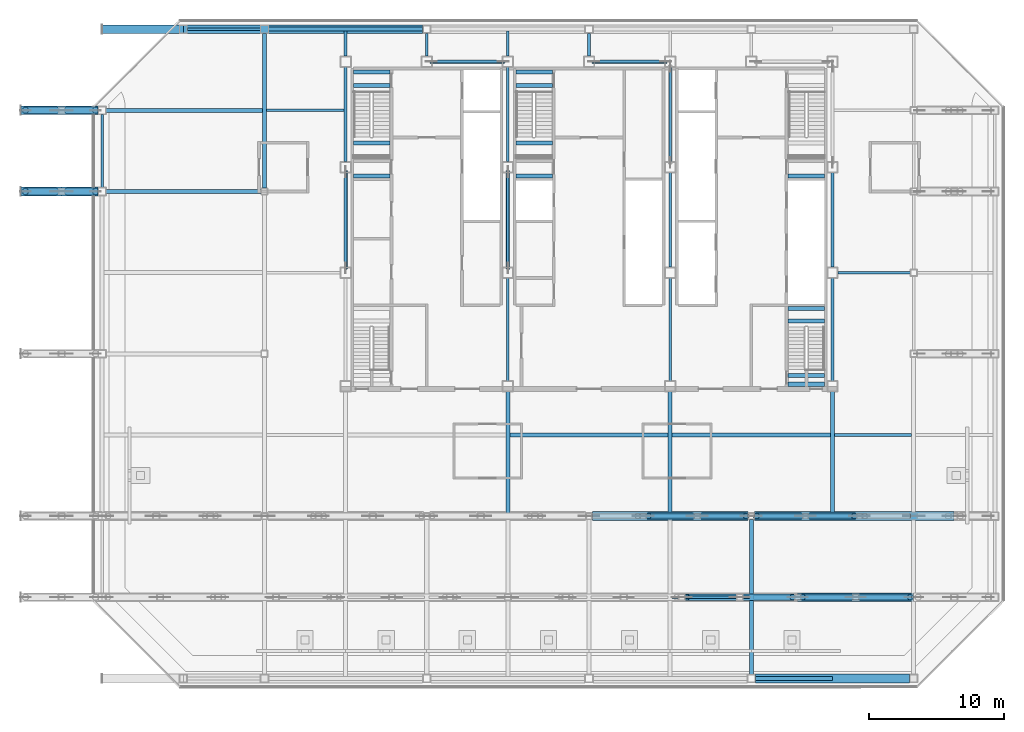
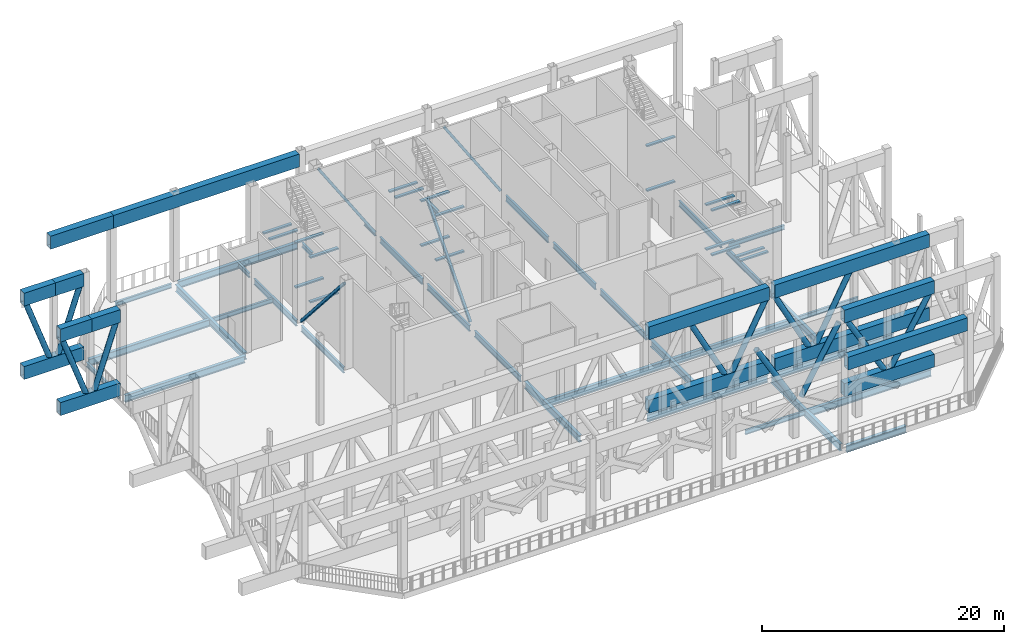
# One storey, part 4 of 22: 69 beams, 16 members.
"""IFC4 building model written with IfcOpenShell, lengths in metres."""

from ifc_helpers import new_model, si_unit, direction, frame, origin, origin_2d, place, context, subcontext, project, spatial, rectangle, hollow_rectangle, hollow_circle, i_section, extrude, material, material_profile, profile_set, type_object, element, save


model = new_model("IFC4")

# Units and contexts
model_context = context("Model", 3, precision=1e-05, world=origin(), true_north=direction((0.0, 1.0)))
body_context = subcontext(model_context, "Body", "Model", "MODEL_VIEW")
ifc_project = project(units=[si_unit("LENGTHUNIT", "METRE"), si_unit("AREAUNIT", "SQUARE_METRE"), si_unit("VOLUMEUNIT", "CUBIC_METRE"), si_unit("PLANEANGLEUNIT", "RADIAN"), si_unit("MASSUNIT", "GRAM", prefix="KILO")], contexts=[model_context])

# Site, building, storey
site_placement = place(None, origin())
site = spatial("IfcSite", under=ifc_project, at=site_placement, CompositionType="ELEMENT")
building_placement = place(site_placement, origin())
building = spatial("IfcBuilding", under=site, at=building_placement, Name="Sorahane Residences", CompositionType="ELEMENT")
storey_placement = place(building_placement, frame((0.0, 0.0, 281.800048828125)))
storey = spatial("IfcBuildingStorey", under=building, at=storey_placement, Name="L67", CompositionType="ELEMENT", Elevation=281.800048828125)

# Members
ifc_material_1 = material(Name="Steel Q355B", Category="steel")
ifc_material_profile_1 = material_profile(ifc_material_1, hollow_rectangle(XDim=0.25, YDim=0.25, WallThickness=0.013916015625, InnerFilletRadius=0.007080078125, OuterFilletRadius=0.02099609375, at=origin_2d()), Name="RHS 250x250x14")
ifc_profile_set_1 = profile_set([ifc_material_profile_1], Name="Steel Q355B")
member_type_1 = type_object("IfcMemberType", Name="Core brace RHS 250x250x14 Q355B", PredefinedType="BRACE", material=ifc_profile_set_1)
for number, where, z_axis, x_axis, name in (
    (1, (17.662841796875, 45.60009765625, 0.0283203125), (-0.544988350595, 0.0, 0.838443616301), (0.0, -1.0, 0.0), "Core brace L67 y45.6-2"),
    (2, (29.662841796875, 45.60009765625, 0.0283203125), (-0.544988350595, 0.0, 0.838443616301), (0.0, -1.0, 0.0), "Core brace L67 y45.6-4"),
):
    element("IfcMember", number, at=place(storey_placement, frame(where, z_axis=z_axis, x_axis=x_axis)), inside=storey, type_object=member_type_1, Name=name, PredefinedType="BRACE", context=body_context, shape_type="SweptSolid", body=[
        extrude(hollow_rectangle(XDim=0.25, YDim=0.25, WallThickness=0.013916015625, InnerFilletRadius=0.007080078125, OuterFilletRadius=0.02099609375, at=origin_2d()), origin(), (0.0, 0.0, 1.0), 9.772216796875),
    ])
for number, where, z_axis, x_axis, name in (
    (3, (6.0, 37.45654296875, 0.060546875), (0.0, -0.658517409064, 0.752565493468), (1.0, 0.0, 0.0), "Core brace L67 x6-2"),
    (4, (18.0, 30.343505859375, 0.060546875), (0.0, 0.658517409064, 0.752565493468), (-1.0, 0.0, 0.0), "Core brace L67 x18-1"),
):
    element("IfcMember", number, at=place(storey_placement, frame(where, z_axis=z_axis, x_axis=x_axis)), inside=storey, type_object=member_type_1, Name=name, PredefinedType="BRACE", context=body_context, shape_type="SweptSolid", body=[
        extrude(hollow_rectangle(XDim=0.25, YDim=0.25, WallThickness=0.013916015625, InnerFilletRadius=0.007080078125, OuterFilletRadius=0.02099609375, at=origin_2d()), origin(), (0.0, 0.0, 1.0), 10.801513671875),
    ])

# Beams
ifc_material_2 = material(Name="Concrete C40", Category="concrete")
ifc_material_profile_2 = material_profile(ifc_material_2, rectangle(XDim=0.300048828125, YDim=0.139892578125, at=origin_2d()), Name="300x140")
ifc_profile_set_2 = profile_set([ifc_material_profile_2], Name="Concrete C40")
beam_type_1 = type_object("IfcBeamType", Name="RC landing beam 300 x 140 Concrete C40", PredefinedType="BEAM", material=ifc_profile_set_2)
for number, where, z_axis, x_axis, name in (
    (5, (6.60009765625, 37.14990234375, 1.97998046875), (1.0, 0.0, 0.0), (0.0, 1.0, 0.0), "Landing beam"),
    (6, (6.60009765625, 39.590087890625, 1.97998046875), (1.0, 0.0, 0.0), (0.0, 1.0, 0.0), "Landing beam"),
    (7, (6.60009765625, 43.85009765625, 4.22998046875), (1.0, 0.0, 0.0), (0.0, 1.0, 0.0), "Landing beam"),
    (8, (6.60009765625, 44.85009765625, 4.22998046875), (1.0, 0.0, 0.0), (0.0, 1.0, 0.0), "Landing beam"),
    (9, (6.60009765625, 37.14990234375, 6.47998046875), (1.0, 0.0, 0.0), (0.0, 1.0, 0.0), "Landing beam"),
    (10, (6.60009765625, 39.590087890625, 6.47998046875), (1.0, 0.0, 0.0), (0.0, 1.0, 0.0), "Landing beam"),
    (11, (38.699951171875, 37.14990234375, 1.97998046875), (1.0, 0.0, 0.0), (0.0, 1.0, 0.0), "Landing beam"),
    (12, (38.699951171875, 37.14990234375, 6.47998046875), (1.0, 0.0, 0.0), (0.0, 1.0, 0.0), "Landing beam"),
    (13, (18.60009765625, 37.14990234375, 1.97998046875), (1.0, 0.0, 0.0), (0.0, 1.0, 0.0), "Landing beam"),
    (14, (18.60009765625, 39.590087890625, 1.97998046875), (1.0, 0.0, 0.0), (0.0, 1.0, 0.0), "Landing beam"),
    (15, (18.60009765625, 43.85009765625, 4.22998046875), (1.0, 0.0, 0.0), (0.0, 1.0, 0.0), "Landing beam"),
    (16, (18.60009765625, 44.85009765625, 4.22998046875), (1.0, 0.0, 0.0), (0.0, 1.0, 0.0), "Landing beam"),
    (17, (18.60009765625, 37.14990234375, 6.47998046875), (1.0, 0.0, 0.0), (0.0, 1.0, 0.0), "Landing beam"),
    (18, (18.60009765625, 39.590087890625, 6.47998046875), (1.0, 0.0, 0.0), (0.0, 1.0, 0.0), "Landing beam"),
    (19, (38.699951171875, 26.419921875, 1.97998046875), (1.0, 0.0, 0.0), (0.0, 1.0, 0.0), "Landing beam"),
    (20, (38.699951171875, 27.35009765625, 1.97998046875), (1.0, 0.0, 0.0), (0.0, 1.0, 0.0), "Landing beam"),
    (21, (38.699951171875, 21.75, 4.22998046875), (1.0, 0.0, 0.0), (0.0, 1.0, 0.0), "Landing beam"),
    (22, (38.699951171875, 22.39990234375, 4.22998046875), (1.0, 0.0, 0.0), (0.0, 1.0, 0.0), "Landing beam"),
    (23, (38.699951171875, 26.419921875, 6.47998046875), (1.0, 0.0, 0.0), (0.0, 1.0, 0.0), "Landing beam"),
    (24, (38.699951171875, 27.35009765625, 6.47998046875), (1.0, 0.0, 0.0), (0.0, 1.0, 0.0), "Landing beam"),
):
    element("IfcBeam", number, at=place(storey_placement, frame(where, z_axis=z_axis, x_axis=x_axis)), inside=storey, type_object=beam_type_1, Name=name, PredefinedType="BEAM", context=body_context, shape_type="SweptSolid", body=[
        extrude(rectangle(XDim=0.300048828125, YDim=0.139892578125, at=origin_2d()), origin(), (0.0, 0.0, 1.0), 2.699951171875),
    ])
ifc_material_3 = material(Name="Steel Q355B", Category="steel")
ifc_material_profile_3 = material_profile(ifc_material_3, i_section(OverallWidth=0.199951171875, OverallDepth=0.449951171875, WebThickness=0.009033203125, FlangeThickness=0.013916015625, FilletRadius=0.02001953125, at=origin_2d()), Name="HN 450x200x9x14")
ifc_profile_set_3 = profile_set([ifc_material_profile_3], Name="Steel Q355B")
beam_type_2 = type_object("IfcBeamType", Name="Steel floor beam HN 450x200x9x14 Q355B", PredefinedType="BEAM", material=ifc_profile_set_3)
for number, where, z_axis, x_axis, name in (
    (25, (-5.699951171875, 48.0, -0.525146484375), (1.0, 0.0, 0.0), (0.0, 1.0, 0.0), "Beam L67 015"),
    (26, (-12.0, 36.300048828125, -0.525146484375), (0.0, 1.0, 0.0), (-1.0, 0.0, 0.0), "Beam L67 023"),
):
    element("IfcBeam", number, at=place(storey_placement, frame(where, z_axis=z_axis, x_axis=x_axis)), inside=storey, type_object=beam_type_2, Name=name, PredefinedType="BEAM", context=body_context, shape_type="SweptSolid", body=[
        extrude(i_section(OverallWidth=0.199951171875, OverallDepth=0.449951171875, WebThickness=0.009033203125, FlangeThickness=0.013916015625, FilletRadius=0.02001953125, at=origin_2d()), origin(), (0.0, 0.0, 1.0), 5.39990234375),
    ])
beam_1_placement = place(storey_placement, frame((6.0, 46.0, -0.525146484375), z_axis=(0.0, 1.0, 0.0), x_axis=(-1.0, 0.0, 0.0)))
element("IfcBeam", 27, at=beam_1_placement, inside=storey, type_object=beam_type_2, Name="Beam L67 033", PredefinedType="BEAM", context=body_context, shape_type="SweptSolid", body=[
    extrude(i_section(OverallWidth=0.199951171875, OverallDepth=0.449951171875, WebThickness=0.009033203125, FlangeThickness=0.013916015625, FilletRadius=0.02001953125, at=origin_2d()), origin(), (0.0, 0.0, 1.0), 1.85009765625),
])
beam_2_placement = place(storey_placement, frame((12.0, 46.0, -0.525146484375), z_axis=(0.0, 1.0, 0.0), x_axis=(-1.0, 0.0, 0.0)))
element("IfcBeam", 28, at=beam_2_placement, inside=storey, type_object=beam_type_2, Name="Beam L67 035", PredefinedType="BEAM", context=body_context, shape_type="SweptSolid", body=[
    extrude(i_section(OverallWidth=0.199951171875, OverallDepth=0.449951171875, WebThickness=0.009033203125, FlangeThickness=0.013916015625, FilletRadius=0.02001953125, at=origin_2d()), origin(), (0.0, 0.0, 1.0), 1.699951171875),
])
beam_3_placement = place(storey_placement, frame((18.0, 46.0, -0.525146484375), z_axis=(0.0, 1.0, 0.0), x_axis=(-1.0, 0.0, 0.0)))
element("IfcBeam", 29, at=beam_3_placement, inside=storey, type_object=beam_type_2, Name="Beam L67 041", PredefinedType="BEAM", context=body_context, shape_type="SweptSolid", body=[
    extrude(i_section(OverallWidth=0.199951171875, OverallDepth=0.449951171875, WebThickness=0.009033203125, FlangeThickness=0.013916015625, FilletRadius=0.02001953125, at=origin_2d()), origin(), (0.0, 0.0, 1.0), 1.85009765625),
])
beam_4_placement = place(storey_placement, frame((24.0, 46.0, -0.525146484375), z_axis=(0.0, 1.0, 0.0), x_axis=(-1.0, 0.0, 0.0)))
element("IfcBeam", 30, at=beam_4_placement, inside=storey, type_object=beam_type_2, Name="Beam L67 043", PredefinedType="BEAM", context=body_context, shape_type="SweptSolid", body=[
    extrude(i_section(OverallWidth=0.199951171875, OverallDepth=0.449951171875, WebThickness=0.009033203125, FlangeThickness=0.013916015625, FilletRadius=0.02001953125, at=origin_2d()), origin(), (0.0, 0.0, 1.0), 1.699951171875),
])
for number, where, z_axis, x_axis, name in (
    (31, (30.14990234375, 6.0, -0.525146484375), (1.0, 0.0, 0.0), (0.0, 1.0, 0.0), "Beam L67 072"),
    (32, (42.14990234375, 18.0, -0.525146484375), (1.0, 0.0, 0.0), (0.0, 1.0, 0.0), "Beam L67 080"),
):
    element("IfcBeam", number, at=place(storey_placement, frame(where, z_axis=z_axis, x_axis=x_axis)), inside=storey, type_object=beam_type_2, Name=name, PredefinedType="BEAM", context=body_context, shape_type="SweptSolid", body=[
        extrude(i_section(OverallWidth=0.199951171875, OverallDepth=0.449951171875, WebThickness=0.009033203125, FlangeThickness=0.013916015625, FilletRadius=0.02001953125, at=origin_2d()), origin(), (0.0, 0.0, 1.0), 5.7001953125),
    ])
beam_5_placement = place(storey_placement, frame((42.39990234375, 30.0, -0.525146484375), z_axis=(1.0, 0.0, 0.0), x_axis=(0.0, 1.0, 0.0)))
element("IfcBeam", 33, at=beam_5_placement, inside=storey, type_object=beam_type_2, Name="Beam L67 084", PredefinedType="BEAM", context=body_context, shape_type="SweptSolid", body=[
    extrude(i_section(OverallWidth=0.199951171875, OverallDepth=0.449951171875, WebThickness=0.009033203125, FlangeThickness=0.013916015625, FilletRadius=0.02001953125, at=origin_2d()), origin(), (0.0, 0.0, 1.0), 5.35009765625),
])
beam_6_placement = place(storey_placement, frame((0.14990234375, 42.0, -0.525146484375), z_axis=(1.0, 0.0, 0.0), x_axis=(0.0, 1.0, 0.0)))
element("IfcBeam", 34, at=beam_6_placement, inside=storey, type_object=beam_type_2, Name="Beam L67 087", PredefinedType="BEAM", context=body_context, shape_type="SweptSolid", body=[
    extrude(i_section(OverallWidth=0.199951171875, OverallDepth=0.449951171875, WebThickness=0.009033203125, FlangeThickness=0.013916015625, FilletRadius=0.02001953125, at=origin_2d()), origin(), (0.0, 0.0, 1.0), 5.75),
])
ifc_material_4 = material(Name="Steel Q355B", Category="steel")
ifc_material_profile_4 = material_profile(ifc_material_4, i_section(OverallWidth=0.199951171875, OverallDepth=0.60009765625, WebThickness=0.010986328125, FlangeThickness=0.01708984375, FilletRadius=0.02392578125, at=origin_2d()), Name="HN 600x200x11x17")
ifc_profile_set_4 = profile_set([ifc_material_profile_4], Name="Steel Q355B")
beam_type_3 = type_object("IfcBeamType", Name="Steel floor beam HN 600x200x11x17 Q355B", PredefinedType="BEAM", material=ifc_profile_set_4)
for number, where, z_axis, x_axis, name in (
    (35, (6.0, 30.39990234375, -0.60009765625), (0.0, 1.0, 0.0), (-1.0, 0.0, 0.0), "Beam L67 031"),
    (36, (6.0, 38.199951171875, -0.60009765625), (0.0, 1.0, 0.0), (-1.0, 0.0, 0.0), "Beam L67 032"),
):
    element("IfcBeam", number, at=place(storey_placement, frame(where, z_axis=z_axis, x_axis=x_axis)), inside=storey, type_object=beam_type_3, Name=name, PredefinedType="BEAM", context=body_context, shape_type="SweptSolid", body=[
        extrude(i_section(OverallWidth=0.199951171875, OverallDepth=0.60009765625, WebThickness=0.010986328125, FlangeThickness=0.01708984375, FilletRadius=0.02392578125, at=origin_2d()), origin(), (0.0, 0.0, 1.0), 7.0),
    ])
beam_7_placement = place(storey_placement, frame((18.0, 22.0, -0.60009765625), z_axis=(0.0, 1.0, 0.0), x_axis=(-1.0, 0.0, 0.0)))
element("IfcBeam", 37, at=beam_7_placement, inside=storey, type_object=beam_type_3, Name="Beam L67 038", PredefinedType="BEAM", context=body_context, shape_type="SweptSolid", body=[
    extrude(i_section(OverallWidth=0.199951171875, OverallDepth=0.60009765625, WebThickness=0.010986328125, FlangeThickness=0.01708984375, FilletRadius=0.02392578125, at=origin_2d()), origin(), (0.0, 0.0, 1.0), 7.60009765625),
])
for number, where, z_axis, x_axis, name in (
    (38, (18.0, 30.39990234375, -0.60009765625), (0.0, 1.0, 0.0), (-1.0, 0.0, 0.0), "Beam L67 039"),
    (39, (18.0, 38.199951171875, -0.60009765625), (0.0, 1.0, 0.0), (-1.0, 0.0, 0.0), "Beam L67 040"),
):
    element("IfcBeam", number, at=place(storey_placement, frame(where, z_axis=z_axis, x_axis=x_axis)), inside=storey, type_object=beam_type_3, Name=name, PredefinedType="BEAM", context=body_context, shape_type="SweptSolid", body=[
        extrude(i_section(OverallWidth=0.199951171875, OverallDepth=0.60009765625, WebThickness=0.010986328125, FlangeThickness=0.01708984375, FilletRadius=0.02392578125, at=origin_2d()), origin(), (0.0, 0.0, 1.0), 7.0),
    ])
beam_8_placement = place(storey_placement, frame((30.0, 22.0, -0.60009765625), z_axis=(0.0, 1.0, 0.0), x_axis=(-1.0, 0.0, 0.0)))
element("IfcBeam", 40, at=beam_8_placement, inside=storey, type_object=beam_type_3, Name="Beam L67 046", PredefinedType="BEAM", context=body_context, shape_type="SweptSolid", body=[
    extrude(i_section(OverallWidth=0.199951171875, OverallDepth=0.60009765625, WebThickness=0.010986328125, FlangeThickness=0.01708984375, FilletRadius=0.02392578125, at=origin_2d()), origin(), (0.0, 0.0, 1.0), 7.60009765625),
])
for number, where, z_axis, x_axis, name in (
    (41, (30.0, 30.39990234375, -0.60009765625), (0.0, 1.0, 0.0), (-1.0, 0.0, 0.0), "Beam L67 047"),
    (42, (30.0, 38.199951171875, -0.60009765625), (0.0, 1.0, 0.0), (-1.0, 0.0, 0.0), "Beam L67 048"),
):
    element("IfcBeam", number, at=place(storey_placement, frame(where, z_axis=z_axis, x_axis=x_axis)), inside=storey, type_object=beam_type_3, Name=name, PredefinedType="BEAM", context=body_context, shape_type="SweptSolid", body=[
        extrude(i_section(OverallWidth=0.199951171875, OverallDepth=0.60009765625, WebThickness=0.010986328125, FlangeThickness=0.01708984375, FilletRadius=0.02392578125, at=origin_2d()), origin(), (0.0, 0.0, 1.0), 7.0),
    ])
beam_9_placement = place(storey_placement, frame((42.0, 22.0, -0.60009765625), z_axis=(0.0, 1.0, 0.0), x_axis=(-1.0, 0.0, 0.0)))
element("IfcBeam", 43, at=beam_9_placement, inside=storey, type_object=beam_type_3, Name="Beam L67 053", PredefinedType="BEAM", context=body_context, shape_type="SweptSolid", body=[
    extrude(i_section(OverallWidth=0.199951171875, OverallDepth=0.60009765625, WebThickness=0.010986328125, FlangeThickness=0.01708984375, FilletRadius=0.02392578125, at=origin_2d()), origin(), (0.0, 0.0, 1.0), 7.60009765625),
])
beam_10_placement = place(storey_placement, frame((42.0, 30.39990234375, -0.60009765625), z_axis=(0.0, 1.0, 0.0), x_axis=(-1.0, 0.0, 0.0)))
element("IfcBeam", 44, at=beam_10_placement, inside=storey, type_object=beam_type_3, Name="Beam L67 054", PredefinedType="BEAM", context=body_context, shape_type="SweptSolid", body=[
    extrude(i_section(OverallWidth=0.199951171875, OverallDepth=0.60009765625, WebThickness=0.010986328125, FlangeThickness=0.01708984375, FilletRadius=0.02392578125, at=origin_2d()), origin(), (0.0, 0.0, 1.0), 7.0),
])
ifc_material_5 = material(Name="Steel Q355B", Category="steel")
ifc_material_profile_5 = material_profile(ifc_material_5, i_section(OverallWidth=0.300048828125, OverallDepth=0.699951171875, WebThickness=0.012939453125, FlangeThickness=0.02392578125, FilletRadius=0.028076171875, at=origin_2d()), Name="HN 700x300x13x24")
ifc_profile_set_5 = profile_set([ifc_material_profile_5], Name="Steel Q355B")
beam_type_4 = type_object("IfcBeamType", Name="Steel floor beam HN 700x300x13x24 Q355B", PredefinedType="BEAM", material=ifc_profile_set_5)
beam_11_placement = place(storey_placement, frame((36.300048828125, 0.0, -0.650146484375), z_axis=(1.0, 0.0, 0.0), x_axis=(0.0, 1.0, 0.0)))
element("IfcBeam", 45, at=beam_11_placement, inside=storey, type_object=beam_type_4, Name="Beam L67 004", PredefinedType="BEAM", context=body_context, shape_type="SweptSolid", body=[
    extrude(i_section(OverallWidth=0.300048828125, OverallDepth=0.699951171875, WebThickness=0.012939453125, FlangeThickness=0.02392578125, FilletRadius=0.028076171875, at=origin_2d()), origin(), (0.0, 0.0, 1.0), 5.699951171875),
])
for number, where, z_axis, x_axis, name in (
    (46, (24.25, 12.0, -0.650146484375), (1.0, 0.0, 0.0), (0.0, 1.0, 0.0), "Beam L67 008"),
    (47, (36.25, 12.0, -0.650146484375), (1.0, 0.0, 0.0), (0.0, 1.0, 0.0), "Beam L67 009"),
):
    element("IfcBeam", number, at=place(storey_placement, frame(where, z_axis=z_axis, x_axis=x_axis)), inside=storey, type_object=beam_type_4, Name=name, PredefinedType="BEAM", context=body_context, shape_type="SweptSolid", body=[
        extrude(i_section(OverallWidth=0.300048828125, OverallDepth=0.699951171875, WebThickness=0.012939453125, FlangeThickness=0.02392578125, FilletRadius=0.028076171875, at=origin_2d()), origin(), (0.0, 0.0, 1.0), 11.5),
    ])
beam_12_placement = place(storey_placement, frame((-11.699951171875, 36.0, -0.650146484375), z_axis=(1.0, 0.0, 0.0), x_axis=(0.0, 1.0, 0.0)))
element("IfcBeam", 48, at=beam_12_placement, inside=storey, type_object=beam_type_4, Name="Beam L67 013", PredefinedType="BEAM", context=body_context, shape_type="SweptSolid", body=[
    extrude(i_section(OverallWidth=0.300048828125, OverallDepth=0.699951171875, WebThickness=0.012939453125, FlangeThickness=0.02392578125, FilletRadius=0.028076171875, at=origin_2d()), origin(), (0.0, 0.0, 1.0), 11.449951171875),
])
beam_13_placement = place(storey_placement, frame((0.300048828125, 48.0, -0.650146484375), z_axis=(1.0, 0.0, 0.0), x_axis=(0.0, 1.0, 0.0)))
element("IfcBeam", 49, at=beam_13_placement, inside=storey, type_object=beam_type_4, Name="Beam L67 016", PredefinedType="BEAM", context=body_context, shape_type="SweptSolid", body=[
    extrude(i_section(OverallWidth=0.300048828125, OverallDepth=0.699951171875, WebThickness=0.012939453125, FlangeThickness=0.02392578125, FilletRadius=0.028076171875, at=origin_2d()), origin(), (0.0, 0.0, 1.0), 11.39990234375),
])
beam_14_placement = place(storey_placement, frame((0.0, 36.25, -0.650146484375), z_axis=(0.0, 1.0, 0.0), x_axis=(-1.0, 0.0, 0.0)))
element("IfcBeam", 50, at=beam_14_placement, inside=storey, type_object=beam_type_4, Name="Beam L67 027", PredefinedType="BEAM", context=body_context, shape_type="SweptSolid", body=[
    extrude(i_section(OverallWidth=0.300048828125, OverallDepth=0.699951171875, WebThickness=0.012939453125, FlangeThickness=0.02392578125, FilletRadius=0.028076171875, at=origin_2d()), origin(), (0.0, 0.0, 1.0), 11.449951171875),
])
for number, where, z_axis, x_axis, name in (
    (51, (18.0, 12.14990234375, -0.650146484375), (0.0, 1.0, 0.0), (-1.0, 0.0, 0.0), "Beam L67 037"),
    (52, (30.0, 12.14990234375, -0.650146484375), (0.0, 1.0, 0.0), (-1.0, 0.0, 0.0), "Beam L67 045"),
):
    element("IfcBeam", number, at=place(storey_placement, frame(where, z_axis=z_axis, x_axis=x_axis)), inside=storey, type_object=beam_type_4, Name=name, PredefinedType="BEAM", context=body_context, shape_type="SweptSolid", body=[
        extrude(i_section(OverallWidth=0.300048828125, OverallDepth=0.699951171875, WebThickness=0.012939453125, FlangeThickness=0.02392578125, FilletRadius=0.028076171875, at=origin_2d()), origin(), (0.0, 0.0, 1.0), 9.050048828125),
    ])
beam_15_placement = place(storey_placement, frame((36.0, 0.300048828125, -0.650146484375), z_axis=(0.0, 1.0, 0.0), x_axis=(-1.0, 0.0, 0.0)))
element("IfcBeam", 53, at=beam_15_placement, inside=storey, type_object=beam_type_4, Name="Beam L67 050", PredefinedType="BEAM", context=body_context, shape_type="SweptSolid", body=[
    extrude(i_section(OverallWidth=0.300048828125, OverallDepth=0.699951171875, WebThickness=0.012939453125, FlangeThickness=0.02392578125, FilletRadius=0.028076171875, at=origin_2d()), origin(), (0.0, 0.0, 1.0), 11.449951171875),
])
beam_16_placement = place(storey_placement, frame((42.0, 12.14990234375, -0.650146484375), z_axis=(0.0, 1.0, 0.0), x_axis=(-1.0, 0.0, 0.0)))
element("IfcBeam", 54, at=beam_16_placement, inside=storey, type_object=beam_type_4, Name="Beam L67 052", PredefinedType="BEAM", context=body_context, shape_type="SweptSolid", body=[
    extrude(i_section(OverallWidth=0.300048828125, OverallDepth=0.699951171875, WebThickness=0.012939453125, FlangeThickness=0.02392578125, FilletRadius=0.028076171875, at=origin_2d()), origin(), (0.0, 0.0, 1.0), 9.050048828125),
])
for number, where, z_axis, x_axis, name in (
    (55, (36.14990234375, 6.0, -0.650146484375), (1.0, 0.0, 0.0), (0.0, 1.0, 0.0), "Beam L67 073"),
    (56, (18.14990234375, 18.0, -0.650146484375), (1.0, 0.0, 0.0), (0.0, 1.0, 0.0), "Beam L67 078"),
    (57, (30.14990234375, 18.0, -0.650146484375), (1.0, 0.0, 0.0), (0.0, 1.0, 0.0), "Beam L67 079"),
):
    element("IfcBeam", number, at=place(storey_placement, frame(where, z_axis=z_axis, x_axis=x_axis)), inside=storey, type_object=beam_type_4, Name=name, PredefinedType="BEAM", context=body_context, shape_type="SweptSolid", body=[
        extrude(i_section(OverallWidth=0.300048828125, OverallDepth=0.699951171875, WebThickness=0.012939453125, FlangeThickness=0.02392578125, FilletRadius=0.028076171875, at=origin_2d()), origin(), (0.0, 0.0, 1.0), 11.7001953125),
    ])
beam_17_placement = place(storey_placement, frame((-11.699951171875, 42.0, -0.650146484375), z_axis=(1.0, 0.0, 0.0), x_axis=(0.0, 1.0, 0.0)))
element("IfcBeam", 58, at=beam_17_placement, inside=storey, type_object=beam_type_4, Name="Beam L67 086", PredefinedType="BEAM", context=body_context, shape_type="SweptSolid", body=[
    extrude(i_section(OverallWidth=0.300048828125, OverallDepth=0.699951171875, WebThickness=0.012939453125, FlangeThickness=0.02392578125, FilletRadius=0.028076171875, at=origin_2d()), origin(), (0.0, 0.0, 1.0), 11.550048828125),
])
ifc_material_6 = material(Name="Steel Q420GJ", Category="steel")
ifc_material_profile_6 = material_profile(ifc_material_6, hollow_rectangle(XDim=0.64990234375, YDim=1.300048828125, WallThickness=0.044921875, at=origin_2d()), Name="BOX 1300x650x45")
ifc_profile_set_6 = profile_set([ifc_material_profile_6], Name="Steel Q420GJ")
beam_type_5 = type_object("IfcBeamType", Name="Truss chord BOX 1300x650x45 Q420GJ", PredefinedType="BEAM", material=ifc_profile_set_6)
beam_18_placement = place(storey_placement, frame((36.300048828125, 0.0, 8.050048828125), z_axis=(1.0, 0.0, 0.0), x_axis=(0.0, 1.0, 0.0)))
element("IfcBeam", 59, at=beam_18_placement, inside=storey, type_object=beam_type_5, Name="Truss chord L67", PredefinedType="BEAM", context=body_context, shape_type="SweptSolid", body=[
    extrude(hollow_rectangle(XDim=0.64990234375, YDim=1.300048828125, WallThickness=0.044921875, at=origin_2d()), origin(), (0.0, 0.0, 1.0), 11.39990234375),
])
for number, where, z_axis, x_axis, name in (
    (60, (39.428466796875, 6.0, 0.64990234375), (1.0, 0.0, 0.0), (0.0, 1.0, 0.0), "Truss chord L67"),
    (61, (39.428466796875, 6.0, 8.050048828125), (1.0, 0.0, 0.0), (0.0, 1.0, 0.0), "Truss chord L67"),
):
    element("IfcBeam", number, at=place(storey_placement, frame(where, z_axis=z_axis, x_axis=x_axis)), inside=storey, type_object=beam_type_5, Name=name, PredefinedType="BEAM", context=body_context, shape_type="SweptSolid", body=[
        extrude(hollow_rectangle(XDim=0.64990234375, YDim=1.300048828125, WallThickness=0.044921875, at=origin_2d()), origin(), (0.0, 0.0, 1.0), 8.571533203125),
    ])
beam_19_placement = place(storey_placement, frame((24.25, 12.0, 0.64990234375), z_axis=(1.0, 0.0, 0.0), x_axis=(0.0, 1.0, 0.0)))
element("IfcBeam", 62, at=beam_19_placement, inside=storey, type_object=beam_type_5, Name="Truss chord L67", PredefinedType="BEAM", context=body_context, shape_type="SweptSolid", body=[
    extrude(hollow_rectangle(XDim=0.64990234375, YDim=1.300048828125, WallThickness=0.044921875, at=origin_2d()), origin(), (0.0, 0.0, 1.0), 11.5),
])
beam_20_placement = place(storey_placement, frame((36.25, 12.0, 0.64990234375), z_axis=(1.0, 0.0, 0.0), x_axis=(0.0, 1.0, 0.0)))
element("IfcBeam", 63, at=beam_20_placement, inside=storey, type_object=beam_type_5, Name="Truss chord L67", PredefinedType="BEAM", context=body_context, shape_type="SweptSolid", body=[
    extrude(hollow_rectangle(XDim=0.64990234375, YDim=1.300048828125, WallThickness=0.044921875, at=origin_2d()), origin(), (0.0, 0.0, 1.0), 14.75),
])
beam_21_placement = place(storey_placement, frame((24.25, 12.0, 8.050048828125), z_axis=(1.0, 0.0, 0.0), x_axis=(0.0, 1.0, 0.0)))
element("IfcBeam", 64, at=beam_21_placement, inside=storey, type_object=beam_type_5, Name="Truss chord L67", PredefinedType="BEAM", context=body_context, shape_type="SweptSolid", body=[
    extrude(hollow_rectangle(XDim=0.64990234375, YDim=1.300048828125, WallThickness=0.044921875, at=origin_2d()), origin(), (0.0, 0.0, 1.0), 11.5),
])
beam_22_placement = place(storey_placement, frame((36.25, 12.0, 8.050048828125), z_axis=(1.0, 0.0, 0.0), x_axis=(0.0, 1.0, 0.0)))
element("IfcBeam", 65, at=beam_22_placement, inside=storey, type_object=beam_type_5, Name="Truss chord L67", PredefinedType="BEAM", context=body_context, shape_type="SweptSolid", body=[
    extrude(hollow_rectangle(XDim=0.64990234375, YDim=1.300048828125, WallThickness=0.044921875, at=origin_2d()), origin(), (0.0, 0.0, 1.0), 14.75),
])
beam_23_placement = place(storey_placement, frame((-18.0, 36.0, 0.64990234375), z_axis=(1.0, 0.0, 0.0), x_axis=(0.0, 1.0, 0.0)))
element("IfcBeam", 66, at=beam_23_placement, inside=storey, type_object=beam_type_5, Name="Truss chord L67", PredefinedType="BEAM", context=body_context, shape_type="SweptSolid", body=[
    extrude(hollow_rectangle(XDim=0.64990234375, YDim=1.300048828125, WallThickness=0.044921875, at=origin_2d()), origin(), (0.0, 0.0, 1.0), 5.699951171875),
])
beam_24_placement = place(storey_placement, frame((-18.0, 36.0, 8.050048828125), z_axis=(1.0, 0.0, 0.0), x_axis=(0.0, 1.0, 0.0)))
element("IfcBeam", 67, at=beam_24_placement, inside=storey, type_object=beam_type_5, Name="Truss chord L67", PredefinedType="BEAM", context=body_context, shape_type="SweptSolid", body=[
    extrude(hollow_rectangle(XDim=0.64990234375, YDim=1.300048828125, WallThickness=0.044921875, at=origin_2d()), origin(), (0.0, 0.0, 1.0), 3.0),
])
beam_25_placement = place(storey_placement, frame((-15.0, 36.0, 8.050048828125), z_axis=(1.0, 0.0, 0.0), x_axis=(0.0, 1.0, 0.0)))
element("IfcBeam", 68, at=beam_25_placement, inside=storey, type_object=beam_type_5, Name="Truss chord L67", PredefinedType="BEAM", context=body_context, shape_type="SweptSolid", body=[
    extrude(hollow_rectangle(XDim=0.64990234375, YDim=1.300048828125, WallThickness=0.044921875, at=origin_2d()), origin(), (0.0, 0.0, 1.0), 2.699951171875),
])
beam_26_placement = place(storey_placement, frame((-18.0, 42.0, 0.64990234375), z_axis=(1.0, 0.0, 0.0), x_axis=(0.0, 1.0, 0.0)))
element("IfcBeam", 69, at=beam_26_placement, inside=storey, type_object=beam_type_5, Name="Truss chord L67", PredefinedType="BEAM", context=body_context, shape_type="SweptSolid", body=[
    extrude(hollow_rectangle(XDim=0.64990234375, YDim=1.300048828125, WallThickness=0.044921875, at=origin_2d()), origin(), (0.0, 0.0, 1.0), 5.699951171875),
])
beam_27_placement = place(storey_placement, frame((-18.0, 42.0, 8.050048828125), z_axis=(1.0, 0.0, 0.0), x_axis=(0.0, 1.0, 0.0)))
element("IfcBeam", 70, at=beam_27_placement, inside=storey, type_object=beam_type_5, Name="Truss chord L67", PredefinedType="BEAM", context=body_context, shape_type="SweptSolid", body=[
    extrude(hollow_rectangle(XDim=0.64990234375, YDim=1.300048828125, WallThickness=0.044921875, at=origin_2d()), origin(), (0.0, 0.0, 1.0), 3.0),
])
beam_28_placement = place(storey_placement, frame((-15.0, 42.0, 8.050048828125), z_axis=(1.0, 0.0, 0.0), x_axis=(0.0, 1.0, 0.0)))
element("IfcBeam", 71, at=beam_28_placement, inside=storey, type_object=beam_type_5, Name="Truss chord L67", PredefinedType="BEAM", context=body_context, shape_type="SweptSolid", body=[
    extrude(hollow_rectangle(XDim=0.64990234375, YDim=1.300048828125, WallThickness=0.044921875, at=origin_2d()), origin(), (0.0, 0.0, 1.0), 2.699951171875),
])
beam_29_placement = place(storey_placement, frame((-12.0, 48.0, 8.050048828125), z_axis=(1.0, 0.0, 0.0), x_axis=(0.0, 1.0, 0.0)))
element("IfcBeam", 72, at=beam_29_placement, inside=storey, type_object=beam_type_5, Name="Truss chord L67", PredefinedType="BEAM", context=body_context, shape_type="SweptSolid", body=[
    extrude(hollow_rectangle(XDim=0.64990234375, YDim=1.300048828125, WallThickness=0.044921875, at=origin_2d()), origin(), (0.0, 0.0, 1.0), 6.0),
])
beam_30_placement = place(storey_placement, frame((-6.0, 48.0, 8.050048828125), z_axis=(1.0, 0.0, 0.0), x_axis=(0.0, 1.0, 0.0)))
element("IfcBeam", 73, at=beam_30_placement, inside=storey, type_object=beam_type_5, Name="Truss chord L67", PredefinedType="BEAM", context=body_context, shape_type="SweptSolid", body=[
    extrude(hollow_rectangle(XDim=0.64990234375, YDim=1.300048828125, WallThickness=0.044921875, at=origin_2d()), origin(), (0.0, 0.0, 1.0), 17.699951171875),
])

# Members
ifc_material_7 = material(Name="Steel Q420GJ", Category="steel")
ifc_material_profile_7 = material_profile(ifc_material_7, hollow_circle(Radius=0.25, WallThickness=0.02490234375, at=origin_2d()), Name="CHS 500x25")
ifc_profile_set_7 = profile_set([ifc_material_profile_7], Name="Steel Q420GJ")
member_type_2 = type_object("IfcMemberType", Name="Truss diagonal CHS 500x25 Q420GJ", PredefinedType="BRACE", material=ifc_profile_set_7)
member_1_placement = place(storey_placement, frame((31.205810546875, 6.0, 7.4658203125), z_axis=(0.499010032013, 0.0, -0.866596208133), x_axis=(0.0, 1.0, 0.0)))
element("IfcMember", 74, at=member_1_placement, inside=storey, type_object=member_type_2, Name="Truss diagonal L67", PredefinedType="BRACE", context=body_context, shape_type="SweptSolid", body=[
    extrude(hollow_circle(Radius=0.25, WallThickness=0.02490234375, at=origin_2d()), origin(), (0.0, 0.0, 1.0), 7.19091796875),
])
for number, where, z_axis, x_axis, name in (
    (75, (35.491455078125, 6.0, 1.234130859375), (0.499035528102, 0.0, 0.866581526281), (0.0, 1.0, 0.0), "Truss diagonal L67"),
    (76, (39.777099609375, 6.0, 7.4658203125), (0.499035528102, 0.0, -0.866581526281), (0.0, 1.0, 0.0), "Truss diagonal L67"),
):
    element("IfcMember", number, at=place(storey_placement, frame(where, z_axis=z_axis, x_axis=x_axis)), inside=storey, type_object=member_type_2, Name=name, PredefinedType="BRACE", context=body_context, shape_type="SweptSolid", body=[
        extrude(hollow_circle(Radius=0.25, WallThickness=0.02490234375, at=origin_2d()), origin(), (0.0, 0.0, 1.0), 7.191162109375),
    ])
member_2_placement = place(storey_placement, frame((44.055419921875, 6.0, 1.23291015625), z_axis=(0.510727775418, 0.0, 0.859742484362), x_axis=(0.0, 1.0, 0.0)))
element("IfcMember", 77, at=member_2_placement, inside=storey, type_object=member_type_2, Name="Truss diagonal L67", PredefinedType="BRACE", context=body_context, shape_type="SweptSolid", body=[
    extrude(hollow_circle(Radius=0.25, WallThickness=0.02490234375, at=origin_2d()), origin(), (0.0, 0.0, 1.0), 7.251220703125),
])
for number, where, z_axis, x_axis, name in (
    (78, (28.369140625, 12.0, 7.462158203125), (0.464156280788, 0.0, -0.885753321758), (0.0, 1.0, 0.0), "Truss diagonal L67"),
    (79, (32.369140625, 12.0, 1.23779296875), (0.464156280788, 0.0, 0.885753321758), (0.0, 1.0, 0.0), "Truss diagonal L67"),
    (80, (36.369140625, 12.0, 7.462158203125), (0.464156280788, 0.0, -0.885753321758), (0.0, 1.0, 0.0), "Truss diagonal L67"),
    (81, (40.369140625, 12.0, 1.23779296875), (0.464156280788, 0.0, 0.885753321758), (0.0, 1.0, 0.0), "Truss diagonal L67"),
):
    element("IfcMember", number, at=place(storey_placement, frame(where, z_axis=z_axis, x_axis=x_axis)), inside=storey, type_object=member_type_2, Name=name, PredefinedType="BRACE", context=body_context, shape_type="SweptSolid", body=[
        extrude(hollow_circle(Radius=0.25, WallThickness=0.02490234375, at=origin_2d()), origin(), (0.0, 0.0, 1.0), 7.027099609375),
    ])
member_3_placement = place(storey_placement, frame((-17.67333984375, 36.0, 7.448974609375), z_axis=(0.340773547487, 0.0, -0.940145408612), x_axis=(0.0, 1.0, 0.0)))
element("IfcMember", 82, at=member_3_placement, inside=storey, type_object=member_type_2, Name="Truss diagonal L67", PredefinedType="BRACE", context=body_context, shape_type="SweptSolid", body=[
    extrude(hollow_circle(Radius=0.25, WallThickness=0.02490234375, at=origin_2d()), origin(), (0.0, 0.0, 1.0), 6.592529296875),
])
member_4_placement = place(storey_placement, frame((-14.56494140625, 36.0, 1.25341796875), z_axis=(0.318357072553, 0.0, 0.947970872103), x_axis=(0.0, 1.0, 0.0)))
element("IfcMember", 83, at=member_4_placement, inside=storey, type_object=member_type_2, Name="Truss diagonal L67", PredefinedType="BRACE", context=body_context, shape_type="SweptSolid", body=[
    extrude(hollow_circle(Radius=0.25, WallThickness=0.02490234375, at=origin_2d()), origin(), (0.0, 0.0, 1.0), 6.532958984375),
])
member_5_placement = place(storey_placement, frame((-17.67333984375, 42.0, 7.448974609375), z_axis=(0.340773547487, 0.0, -0.940145408612), x_axis=(0.0, 1.0, 0.0)))
element("IfcMember", 84, at=member_5_placement, inside=storey, type_object=member_type_2, Name="Truss diagonal L67", PredefinedType="BRACE", context=body_context, shape_type="SweptSolid", body=[
    extrude(hollow_circle(Radius=0.25, WallThickness=0.02490234375, at=origin_2d()), origin(), (0.0, 0.0, 1.0), 6.592529296875),
])
member_6_placement = place(storey_placement, frame((-14.56494140625, 42.0, 1.25341796875), z_axis=(0.318357072553, 0.0, 0.947970872103), x_axis=(0.0, 1.0, 0.0)))
element("IfcMember", 85, at=member_6_placement, inside=storey, type_object=member_type_2, Name="Truss diagonal L67", PredefinedType="BRACE", context=body_context, shape_type="SweptSolid", body=[
    extrude(hollow_circle(Radius=0.25, WallThickness=0.02490234375, at=origin_2d()), origin(), (0.0, 0.0, 1.0), 6.532958984375),
])

save(model, "model.ifc")
